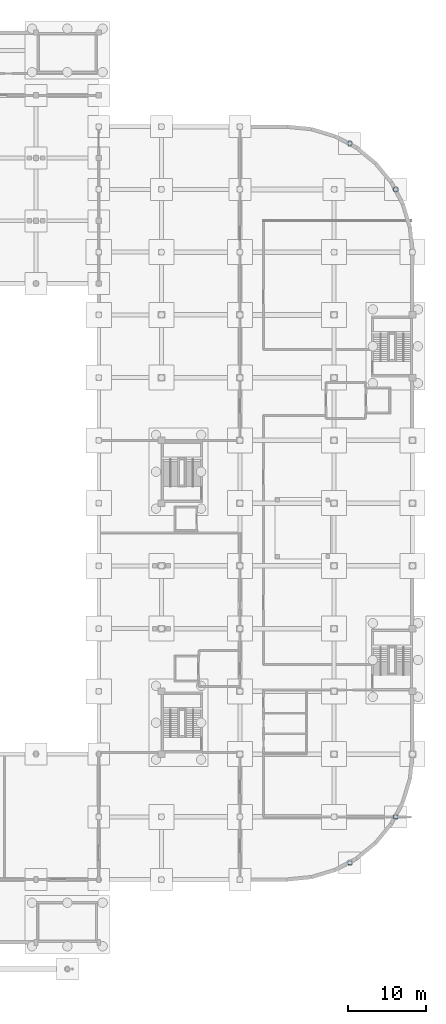
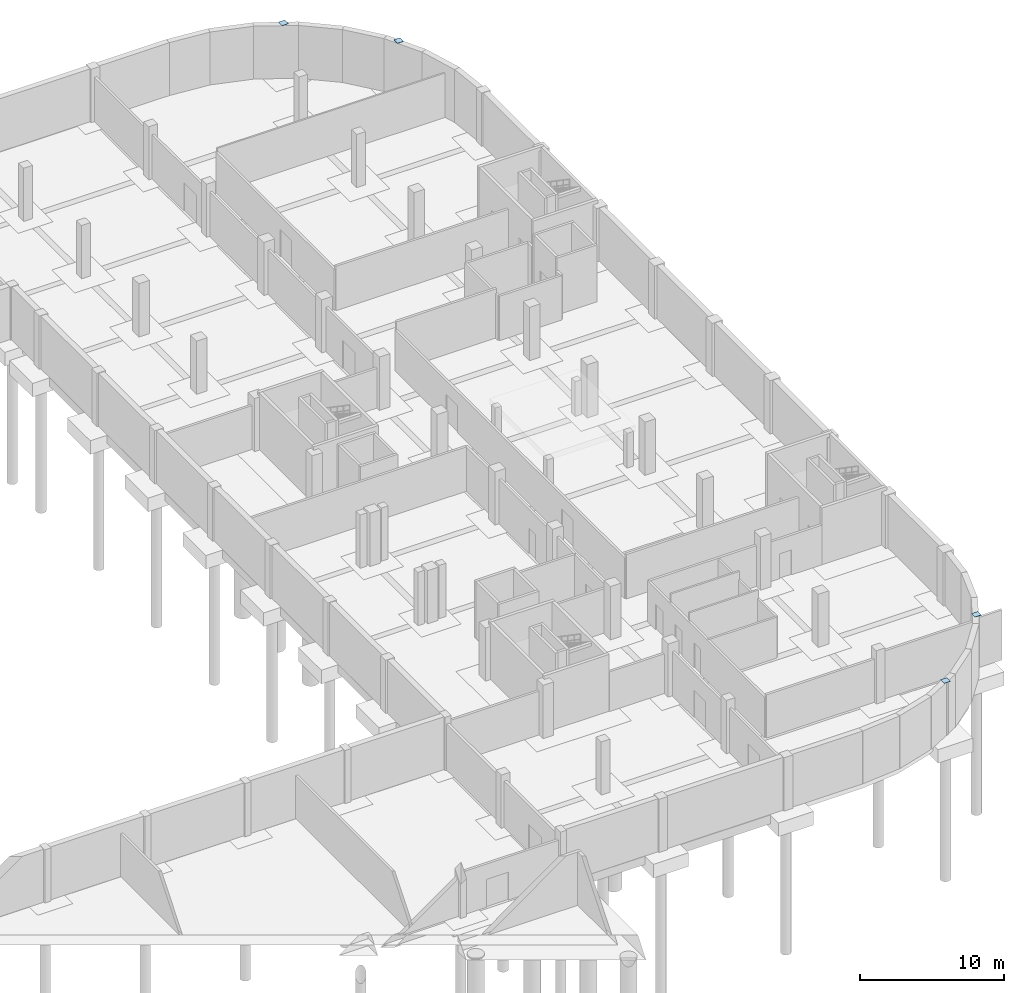
# One storey, part 18 of 29: 4 plates.
"""IFC4 building model written with IfcOpenShell, lengths in metres."""

from ifc_helpers import new_model, si_unit, direction, frame, origin, origin_2d, place, context, subcontext, project, spatial, rectangle, extrude, material, layer, layer_set, type_object, element, save


model = new_model("IFC4")

# Units and contexts
model_context = context("Model", 3, precision=1e-05, world=origin(), true_north=direction((0.0, 1.0)))
body_context = subcontext(model_context, "Body", "Model", "MODEL_VIEW")
ifc_project = project(units=[si_unit("LENGTHUNIT", "METRE"), si_unit("AREAUNIT", "SQUARE_METRE"), si_unit("VOLUMEUNIT", "CUBIC_METRE"), si_unit("PLANEANGLEUNIT", "RADIAN"), si_unit("MASSUNIT", "GRAM", prefix="KILO")], contexts=[model_context])

# Site, building, storey
site_placement = place(None, origin())
site = spatial("IfcSite", under=ifc_project, at=site_placement, CompositionType="ELEMENT")
building_placement = place(site_placement, origin())
building = spatial("IfcBuilding", under=site, at=building_placement, Name="Drelvana Railside Aquatics Centre", CompositionType="ELEMENT")
storey_placement = place(building_placement, frame((0.0, 0.0, -4.800048828125)))
storey = spatial("IfcBuildingStorey", under=building, at=storey_placement, Name="B1", CompositionType="ELEMENT", Elevation=-4.800048828125)

# Plates
ifc_material = material(Name="Structural steel S355", Category="steel")
ifc_layer = layer(ifc_material, 0.014892578125, Name="Structural steel S355")
ifc_layer_set = layer_set([ifc_layer], Name="Structural steel S355")
plate_type = type_object("IfcPlateType", Name="STR-PLT-PL-01", PredefinedType="SHEET", material=ifc_layer_set)
for number, where, z_axis, x_axis, name in (
    (1, (176.0, 10.1435546875, 4.49267578125), (0.0, 0.0, 1.0), (1.0, 0.0, 0.0), "Steel bearing cap plate PL-01 #1"),
    (2, (181.8564453125, 16.0, 4.49267578125), (0.0, 0.0, 1.0), (1.0, 0.0, 0.0), "Steel bearing cap plate PL-01 #5"),
    (3, (181.8564453125, 96.0, 4.49267578125), (0.0, 0.0, 1.0), (1.0, 0.0, 0.0), "Steel bearing cap plate PL-01 #9"),
    (4, (176.0, 101.8564453125, 4.49267578125), (0.0, 0.0, 1.0), (1.0, 0.0, 0.0), "Steel bearing cap plate PL-01 #12"),
):
    element("IfcPlate", number, at=place(storey_placement, frame(where, z_axis=z_axis, x_axis=x_axis)), inside=storey, type_object=plate_type, Name=name, PredefinedType="SHEET", context=body_context, shape_type="SweptSolid", body=[
        extrude(rectangle(XDim=0.5, YDim=0.5, at=origin_2d()), origin(), (0.0, 0.0, 1.0), 0.014892578125),
    ])

save(model, "model.ifc")
